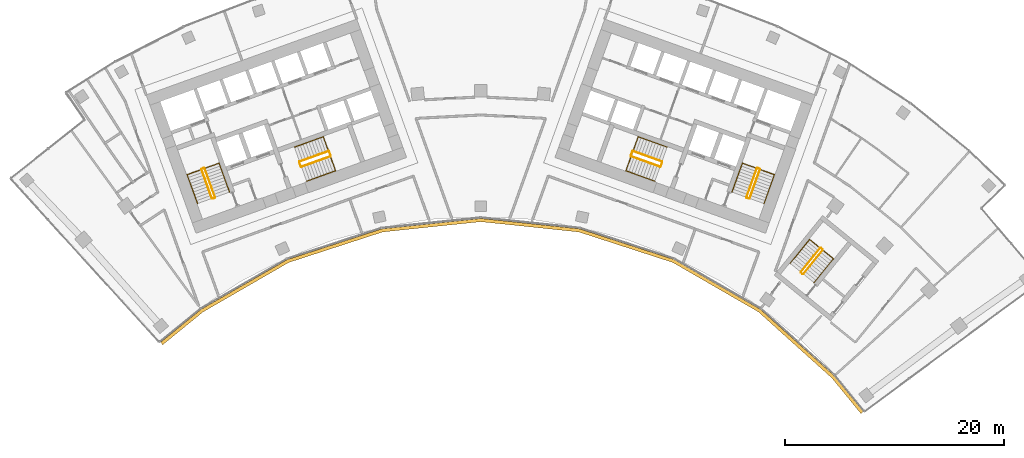
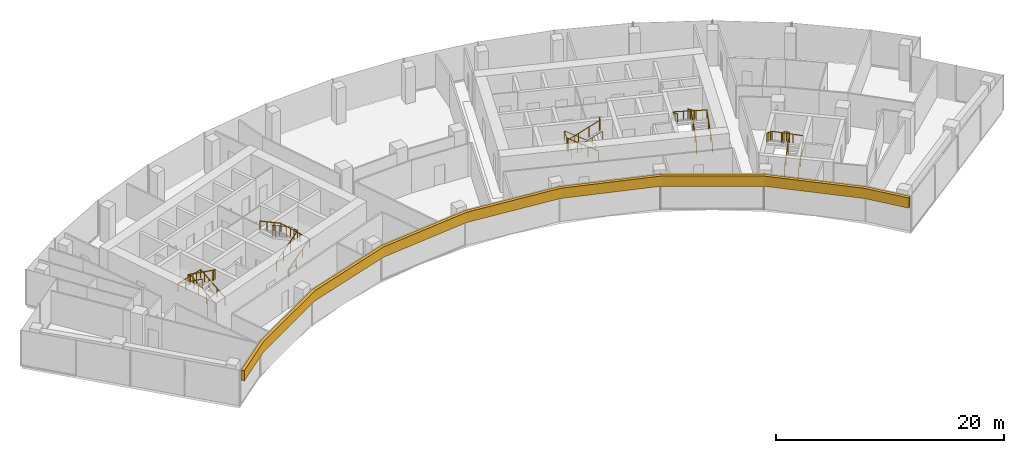
# One storey, part 17 of 17: 15 railings, 1 covering.
"""IFC4 building model written with IfcOpenShell, lengths in metres."""

from ifc_helpers import new_model, si_unit, direction, frame, origin, origin_2d, place, context, subcontext, project, spatial, polyline, circle, outline, extrude, material, layer, layer_set, type_object, element, save


model = new_model("IFC4")

# Units and contexts
model_context = context("Model", 3, precision=1e-05, world=origin(), true_north=direction((0.0, 1.0)))
body_context = subcontext(model_context, "Body", "Model", "MODEL_VIEW")
ifc_project = project(units=[si_unit("LENGTHUNIT", "METRE"), si_unit("AREAUNIT", "SQUARE_METRE"), si_unit("VOLUMEUNIT", "CUBIC_METRE"), si_unit("PLANEANGLEUNIT", "RADIAN"), si_unit("MASSUNIT", "GRAM", prefix="KILO")], contexts=[model_context])

# Site, building, storey
site_placement = place(None, origin())
site = spatial("IfcSite", under=ifc_project, at=site_placement, CompositionType="ELEMENT")
building_placement = place(site_placement, origin())
building = spatial("IfcBuilding", under=site, at=building_placement, Name="Stone Belt Terrace Tower", CompositionType="ELEMENT")
storey_placement = place(building_placement, frame((0.0, 0.0, 231.39990234375)))
storey = spatial("IfcBuildingStorey", under=building, at=storey_placement, Name="L56", CompositionType="ELEMENT", Elevation=231.39990234375)

# Railings
ifc_material_1 = material(Name="Structural steel C345", Category="steel")
railing_type_1 = type_object("IfcRailingType", Name="Stair guard 1100", PredefinedType="GUARDRAIL", material=ifc_material_1)
railing_1_placement = place(storey_placement, frame((-24.2119140625, 45.276123046875, 0.1728515625)))
element("IfcRailing", 1, at=railing_1_placement, inside=storey, type_object=railing_type_1, Name="L56 ST1A stair guard 1", PredefinedType="GUARDRAIL", context=body_context, shape_type="SweptSolid", body=[
    extrude(circle(Radius=0.02392578125, at=origin_2d()), frame((0.0, 0.0, 1.076171875), z_axis=(-0.288228637646, 0.800791768495, 0.525030280985), x_axis=(-0.940908529223, -0.338660803216, 0.0)), (0.0, 0.0, 1.0), 3.289794921875),
    extrude(circle(Radius=0.02392578125, at=origin_2d()), frame((-0.9482421875, 2.634521484375, 2.80322265625), z_axis=(-0.905209821074, 0.424964916, 0.0), x_axis=(-0.424964916, -0.905209821074, 0.0)), (0.0, 0.0, 1.0), 0.070556640625),
    extrude(circle(Radius=0.02392578125, at=origin_2d()), frame((-1.01220703125, 2.66455078125, 2.80322265625), z_axis=(-0.941105063269, -0.338114270461, 0.0), x_axis=(0.338114270461, -0.941105063269, 0.0)), (0.0, 0.0, 1.0), 0.199951171875),
    extrude(circle(Radius=0.02099609375, at=origin_2d()), origin(), (0.0, 0.0, 1.0), 1.052001953125),
    extrude(circle(Radius=0.02099609375, at=origin_2d()), frame((-0.316162109375, 0.878173828125, 0.57568359375)), (0.0, 0.0, 1.0), 1.052001953125),
    extrude(circle(Radius=0.02099609375, at=origin_2d()), frame((-0.632080078125, 1.75634765625, 1.151611328125)), (0.0, 0.0, 1.0), 1.052001953125),
    extrude(circle(Radius=0.02099609375, at=origin_2d()), frame((-0.9482421875, 2.634521484375, 1.727294921875)), (0.0, 0.0, 1.0), 1.052001953125),
    extrude(circle(Radius=0.02099609375, at=origin_2d()), frame((-1.01220703125, 2.66455078125, 1.727294921875)), (0.0, 0.0, 1.0), 1.052001953125),
    extrude(circle(Radius=0.02099609375, at=origin_2d()), frame((-1.200439453125, 2.596923828125, 1.727294921875)), (0.0, 0.0, 1.0), 1.052001953125),
])
railing_2_placement = place(storey_placement, frame((-25.4423828125, 47.80908203125, 2.07275390625)))
element("IfcRailing", 2, at=railing_2_placement, inside=storey, type_object=railing_type_1, Name="L56 ST1A stair guard 2", PredefinedType="GUARDRAIL", context=body_context, shape_type="SweptSolid", body=[
    extrude(circle(Radius=0.02392578125, at=origin_2d()), frame((0.0, 0.0, 1.076171875), z_axis=(0.288228637646, -0.800791768495, 0.525030280985), x_axis=(0.940908529223, 0.338660803216, 0.0)), (0.0, 0.0, 1.0), 3.289794921875),
    extrude(circle(Radius=0.02392578125, at=origin_2d()), frame((0.9482421875, -2.634521484375, 2.80322265625), z_axis=(0.903878284585, -0.427789722475, 0.0), x_axis=(0.427789722475, 0.903878284585, 0.0)), (0.0, 0.0, 1.0), 0.07080078125),
    extrude(circle(Radius=0.02392578125, at=origin_2d()), frame((1.01220703125, -2.664794921875, 2.80322265625), z_axis=(0.940575576748, 0.339584429008, 0.0), x_axis=(-0.339584429008, 0.940575576748, 0.0)), (0.0, 0.0, 1.0), 0.199951171875),
    extrude(circle(Radius=0.02099609375, at=origin_2d()), origin(), (0.0, 0.0, 1.0), 1.052001953125),
    extrude(circle(Radius=0.02099609375, at=origin_2d()), frame((0.316162109375, -0.878173828125, 0.57568359375)), (0.0, 0.0, 1.0), 1.052001953125),
    extrude(circle(Radius=0.02099609375, at=origin_2d()), frame((0.632080078125, -1.75634765625, 1.151611328125)), (0.0, 0.0, 1.0), 1.052001953125),
    extrude(circle(Radius=0.02099609375, at=origin_2d()), frame((0.9482421875, -2.634521484375, 1.727294921875)), (0.0, 0.0, 1.0), 1.052001953125),
    extrude(circle(Radius=0.02099609375, at=origin_2d()), frame((1.01220703125, -2.664794921875, 1.727294921875)), (0.0, 0.0, 1.0), 1.052001953125),
    extrude(circle(Radius=0.02099609375, at=origin_2d()), frame((1.2001953125, -2.596923828125, 1.727294921875)), (0.0, 0.0, 1.0), 1.052001953125),
])
railing_3_placement = place(storey_placement, frame((-16.33837890625, 48.056640625, 0.1728515625)))
element("IfcRailing", 3, at=railing_3_placement, inside=storey, type_object=railing_type_1, Name="L56 ST2A stair guard 1", PredefinedType="GUARDRAIL", context=body_context, shape_type="SweptSolid", body=[
    extrude(circle(Radius=0.02392578125, at=origin_2d()), frame((0.0, 0.0, 1.076171875), z_axis=(0.800808895155, 0.288160591223, 0.52504150989), x_axis=(-0.338583606334, 0.940936311087, 0.0)), (0.0, 0.0, 1.0), 3.289794921875),
    extrude(circle(Radius=0.02392578125, at=origin_2d()), frame((2.634521484375, 0.947998046875, 2.80322265625), z_axis=(0.427789722475, 0.903878284585, 0.0), x_axis=(-0.903878284585, 0.427789722475, 0.0)), (0.0, 0.0, 1.0), 0.07080078125),
    extrude(circle(Radius=0.02392578125, at=origin_2d()), frame((2.664794921875, 1.011962890625, 2.80322265625), z_axis=(-0.338654645739, 0.940910745459, 0.0), x_axis=(-0.940910745459, -0.338654645739, 0.0)), (0.0, 0.0, 1.0), 0.400146484375),
    extrude(circle(Radius=0.02099609375, at=origin_2d()), origin(), (0.0, 0.0, 1.0), 1.052001953125),
    extrude(circle(Radius=0.02099609375, at=origin_2d()), frame((0.878173828125, 0.31591796875, 0.57568359375)), (0.0, 0.0, 1.0), 1.052001953125),
    extrude(circle(Radius=0.02099609375, at=origin_2d()), frame((1.75634765625, 0.632080078125, 1.151611328125)), (0.0, 0.0, 1.0), 1.052001953125),
    extrude(circle(Radius=0.02099609375, at=origin_2d()), frame((2.634521484375, 0.947998046875, 1.727294921875)), (0.0, 0.0, 1.0), 1.052001953125),
    extrude(circle(Radius=0.02099609375, at=origin_2d()), frame((2.664794921875, 1.011962890625, 1.727294921875)), (0.0, 0.0, 1.0), 1.052001953125),
    extrude(circle(Radius=0.02099609375, at=origin_2d()), frame((2.529296875, 1.388427734375, 1.727294921875)), (0.0, 0.0, 1.0), 1.052001953125),
])
railing_4_placement = place(storey_placement, frame((-13.873046875, 49.47509765625, 2.07275390625)))
element("IfcRailing", 4, at=railing_4_placement, inside=storey, type_object=railing_type_1, Name="L56 ST2A stair guard 2", PredefinedType="GUARDRAIL", context=body_context, shape_type="SweptSolid", body=[
    extrude(circle(Radius=0.02392578125, at=origin_2d()), frame((0.0, 0.0, 1.076171875), z_axis=(-0.800808895155, -0.288160591223, 0.52504150989), x_axis=(0.338583606334, -0.940936311087, 0.0)), (0.0, 0.0, 1.0), 3.289794921875),
    extrude(circle(Radius=0.02392578125, at=origin_2d()), frame((-2.634521484375, -0.947998046875, 2.80322265625), z_axis=(-0.427789722475, -0.903878284585, 0.0), x_axis=(0.903878284585, -0.427789722475, 0.0)), (0.0, 0.0, 1.0), 0.07080078125),
    extrude(circle(Radius=0.02392578125, at=origin_2d()), frame((-2.664794921875, -1.011962890625, 2.80322265625), z_axis=(0.338654645739, -0.940910745459, 0.0), x_axis=(0.940910745459, 0.338654645739, 0.0)), (0.0, 0.0, 1.0), 0.400146484375),
    extrude(circle(Radius=0.02099609375, at=origin_2d()), origin(), (0.0, 0.0, 1.0), 1.052001953125),
    extrude(circle(Radius=0.02099609375, at=origin_2d()), frame((-0.878173828125, -0.31591796875, 0.57568359375)), (0.0, 0.0, 1.0), 1.052001953125),
    extrude(circle(Radius=0.02099609375, at=origin_2d()), frame((-1.75634765625, -0.632080078125, 1.151611328125)), (0.0, 0.0, 1.0), 1.052001953125),
    extrude(circle(Radius=0.02099609375, at=origin_2d()), frame((-2.634521484375, -0.947998046875, 1.727294921875)), (0.0, 0.0, 1.0), 1.052001953125),
    extrude(circle(Radius=0.02099609375, at=origin_2d()), frame((-2.664794921875, -1.011962890625, 1.727294921875)), (0.0, 0.0, 1.0), 1.052001953125),
    extrude(circle(Radius=0.02099609375, at=origin_2d()), frame((-2.529296875, -1.388427734375, 1.727294921875)), (0.0, 0.0, 1.0), 1.052001953125),
])
railing_5_placement = place(storey_placement, frame((24.494140625, 45.174560546875, 0.1728515625)))
element("IfcRailing", 5, at=railing_5_placement, inside=storey, type_object=railing_type_1, Name="L56 ST1B stair guard 1", PredefinedType="GUARDRAIL", context=body_context, shape_type="SweptSolid", body=[
    extrude(circle(Radius=0.02392578125, at=origin_2d()), frame((0.0, 0.0, 1.076171875), z_axis=(0.288228637646, 0.800791768495, 0.525030280985), x_axis=(-0.940908529223, 0.338660803216, 0.0)), (0.0, 0.0, 1.0), 3.289794921875),
    extrude(circle(Radius=0.02392578125, at=origin_2d()), frame((0.9482421875, 2.634521484375, 2.80322265625), z_axis=(-0.424964916, 0.905209821074, 0.0), x_axis=(-0.905209821074, -0.424964916, 0.0)), (0.0, 0.0, 1.0), 0.070556640625),
    extrude(circle(Radius=0.02392578125, at=origin_2d()), frame((0.918212890625, 2.698486328125, 2.80322265625), z_axis=(-0.941105063269, 0.338114270461, 0.0), x_axis=(-0.338114270461, -0.941105063269, 0.0)), (0.0, 0.0, 1.0), 0.199951171875),
    extrude(circle(Radius=0.02099609375, at=origin_2d()), origin(), (0.0, 0.0, 1.0), 1.052001953125),
    extrude(circle(Radius=0.02099609375, at=origin_2d()), frame((0.316162109375, 0.878173828125, 0.57568359375)), (0.0, 0.0, 1.0), 1.052001953125),
    extrude(circle(Radius=0.02099609375, at=origin_2d()), frame((0.632080078125, 1.75634765625, 1.151611328125)), (0.0, 0.0, 1.0), 1.052001953125),
    extrude(circle(Radius=0.02099609375, at=origin_2d()), frame((0.9482421875, 2.634521484375, 1.727294921875)), (0.0, 0.0, 1.0), 1.052001953125),
    extrude(circle(Radius=0.02099609375, at=origin_2d()), frame((0.918212890625, 2.698486328125, 1.727294921875)), (0.0, 0.0, 1.0), 1.052001953125),
    extrude(circle(Radius=0.02099609375, at=origin_2d()), frame((0.72998046875, 2.76611328125, 1.727294921875)), (0.0, 0.0, 1.0), 1.052001953125),
])
railing_6_placement = place(storey_placement, frame((25.16015625, 47.91064453125, 2.07275390625)))
element("IfcRailing", 6, at=railing_6_placement, inside=storey, type_object=railing_type_1, Name="L56 ST1B stair guard 2", PredefinedType="GUARDRAIL", context=body_context, shape_type="SweptSolid", body=[
    extrude(circle(Radius=0.02392578125, at=origin_2d()), frame((0.0, 0.0, 1.076171875), z_axis=(-0.288228637646, -0.800791768495, 0.525030280985), x_axis=(0.940908529223, -0.338660803216, 0.0)), (0.0, 0.0, 1.0), 3.289794921875),
    extrude(circle(Radius=0.02392578125, at=origin_2d()), frame((-0.9482421875, -2.634521484375, 2.80322265625), z_axis=(0.427789722475, -0.903878284585, 0.0), x_axis=(0.903878284585, 0.427789722475, 0.0)), (0.0, 0.0, 1.0), 0.07080078125),
    extrude(circle(Radius=0.02392578125, at=origin_2d()), frame((-0.91796875, -2.698486328125, 2.80322265625), z_axis=(0.940575576748, -0.339584429008, 0.0), x_axis=(0.339584429008, 0.940575576748, 0.0)), (0.0, 0.0, 1.0), 0.199951171875),
    extrude(circle(Radius=0.02099609375, at=origin_2d()), origin(), (0.0, 0.0, 1.0), 1.052001953125),
    extrude(circle(Radius=0.02099609375, at=origin_2d()), frame((-0.316162109375, -0.878173828125, 0.57568359375)), (0.0, 0.0, 1.0), 1.052001953125),
    extrude(circle(Radius=0.02099609375, at=origin_2d()), frame((-0.632080078125, -1.75634765625, 1.151611328125)), (0.0, 0.0, 1.0), 1.052001953125),
    extrude(circle(Radius=0.02099609375, at=origin_2d()), frame((-0.9482421875, -2.634521484375, 1.727294921875)), (0.0, 0.0, 1.0), 1.052001953125),
    extrude(circle(Radius=0.02099609375, at=origin_2d()), frame((-0.91796875, -2.698486328125, 1.727294921875)), (0.0, 0.0, 1.0), 1.052001953125),
    extrude(circle(Radius=0.02099609375, at=origin_2d()), frame((-0.72998046875, -2.766357421875, 1.727294921875)), (0.0, 0.0, 1.0), 1.052001953125),
])
railing_7_placement = place(storey_placement, frame((16.507568359375, 48.527099609375, 0.1728515625)))
element("IfcRailing", 7, at=railing_7_placement, inside=storey, type_object=railing_type_1, Name="L56 ST2B stair guard 1", PredefinedType="GUARDRAIL", context=body_context, shape_type="SweptSolid", body=[
    extrude(circle(Radius=0.02392578125, at=origin_2d()), frame((0.0, 0.0, 1.076171875), z_axis=(-0.800808895155, 0.288160591223, 0.52504150989), x_axis=(-0.338583606334, -0.940936311087, 0.0)), (0.0, 0.0, 1.0), 3.289794921875),
    extrude(circle(Radius=0.02392578125, at=origin_2d()), frame((-2.634521484375, 0.947998046875, 2.80322265625), z_axis=(-0.905209821074, -0.424964916, 0.0), x_axis=(0.424964916, -0.905209821074, 0.0)), (0.0, 0.0, 1.0), 0.070556640625),
    extrude(circle(Radius=0.02392578125, at=origin_2d()), frame((-2.698486328125, 0.91796875, 2.80322265625), z_axis=(-0.338654645739, -0.940910745459, 0.0), x_axis=(0.940910745459, -0.338654645739, 0.0)), (0.0, 0.0, 1.0), 0.400146484375),
    extrude(circle(Radius=0.02099609375, at=origin_2d()), origin(), (0.0, 0.0, 1.0), 1.052001953125),
    extrude(circle(Radius=0.02099609375, at=origin_2d()), frame((-0.878173828125, 0.31591796875, 0.57568359375)), (0.0, 0.0, 1.0), 1.052001953125),
    extrude(circle(Radius=0.02099609375, at=origin_2d()), frame((-1.75634765625, 0.632080078125, 1.151611328125)), (0.0, 0.0, 1.0), 1.052001953125),
    extrude(circle(Radius=0.02099609375, at=origin_2d()), frame((-2.634521484375, 0.947998046875, 1.727294921875)), (0.0, 0.0, 1.0), 1.052001953125),
    extrude(circle(Radius=0.02099609375, at=origin_2d()), frame((-2.698486328125, 0.91796875, 1.727294921875)), (0.0, 0.0, 1.0), 1.052001953125),
    extrude(circle(Radius=0.02099609375, at=origin_2d()), frame((-2.833984375, 0.54150390625, 1.727294921875)), (0.0, 0.0, 1.0), 1.052001953125),
])
railing_8_placement = place(storey_placement, frame((13.703857421875, 49.004638671875, 2.07275390625)))
element("IfcRailing", 8, at=railing_8_placement, inside=storey, type_object=railing_type_1, Name="L56 ST2B stair guard 2", PredefinedType="GUARDRAIL", context=body_context, shape_type="SweptSolid", body=[
    extrude(circle(Radius=0.02392578125, at=origin_2d()), frame((0.0, 0.0, 1.076171875), z_axis=(0.800808895155, -0.288160591223, 0.52504150989), x_axis=(0.338583606334, 0.940936311087, 0.0)), (0.0, 0.0, 1.0), 3.289794921875),
    extrude(circle(Radius=0.02392578125, at=origin_2d()), frame((2.634521484375, -0.947998046875, 2.80322265625), z_axis=(0.905209821074, 0.424964916, 0.0), x_axis=(-0.424964916, 0.905209821074, 0.0)), (0.0, 0.0, 1.0), 0.070556640625),
    extrude(circle(Radius=0.02392578125, at=origin_2d()), frame((2.698486328125, -0.91796875, 2.80322265625), z_axis=(0.338654645739, 0.940910745459, 0.0), x_axis=(-0.940910745459, 0.338654645739, 0.0)), (0.0, 0.0, 1.0), 0.400146484375),
    extrude(circle(Radius=0.02099609375, at=origin_2d()), origin(), (0.0, 0.0, 1.0), 1.052001953125),
    extrude(circle(Radius=0.02099609375, at=origin_2d()), frame((0.878173828125, -0.31591796875, 0.57568359375)), (0.0, 0.0, 1.0), 1.052001953125),
    extrude(circle(Radius=0.02099609375, at=origin_2d()), frame((1.75634765625, -0.632080078125, 1.151611328125)), (0.0, 0.0, 1.0), 1.052001953125),
    extrude(circle(Radius=0.02099609375, at=origin_2d()), frame((2.634521484375, -0.947998046875, 1.727294921875)), (0.0, 0.0, 1.0), 1.052001953125),
    extrude(circle(Radius=0.02099609375, at=origin_2d()), frame((2.698486328125, -0.91796875, 1.727294921875)), (0.0, 0.0, 1.0), 1.052001953125),
    extrude(circle(Radius=0.02099609375, at=origin_2d()), frame((2.833984375, -0.54150390625, 1.727294921875)), (0.0, 0.0, 1.0), 1.052001953125),
])
railing_9_placement = place(storey_placement, frame((29.39794921875, 38.281982421875, 0.1728515625)))
element("IfcRailing", 9, at=railing_9_placement, inside=storey, type_object=railing_type_1, Name="L56 ST3B stair guard 1", PredefinedType="GUARDRAIL", context=body_context, shape_type="SweptSolid", body=[
    extrude(circle(Radius=0.02392578125, at=origin_2d()), frame((0.0, 0.0, 1.076171875), z_axis=(0.536393061503, 0.660769759217, 0.525038864158), x_axis=(-0.776391310223, 0.630251166924, 0.0)), (0.0, 0.0, 1.0), 3.289794921875),
    extrude(circle(Radius=0.02392578125, at=origin_2d()), frame((1.7646484375, 2.173828125, 2.80322265625), z_axis=(-0.103251414163, 0.994655289773, 0.0), x_axis=(-0.994655289773, -0.103251414163, 0.0)), (0.0, 0.0, 1.0), 0.071044921875),
    extrude(circle(Radius=0.02392578125, at=origin_2d()), frame((1.75732421875, 2.244384765625, 2.80322265625), z_axis=(-0.776561986372, 0.630040856868, 0.0), x_axis=(-0.630040856868, -0.776561986372, 0.0)), (0.0, 0.0, 1.0), 0.199951171875),
    extrude(circle(Radius=0.02099609375, at=origin_2d()), origin(), (0.0, 0.0, 1.0), 1.052001953125),
    extrude(circle(Radius=0.02099609375, at=origin_2d()), frame((0.588134765625, 0.724609375, 0.57568359375)), (0.0, 0.0, 1.0), 1.052001953125),
    extrude(circle(Radius=0.02099609375, at=origin_2d()), frame((1.176513671875, 1.44921875, 1.151611328125)), (0.0, 0.0, 1.0), 1.052001953125),
    extrude(circle(Radius=0.02099609375, at=origin_2d()), frame((1.7646484375, 2.173828125, 1.727294921875)), (0.0, 0.0, 1.0), 1.052001953125),
    extrude(circle(Radius=0.02099609375, at=origin_2d()), frame((1.75732421875, 2.244384765625, 1.727294921875)), (0.0, 0.0, 1.0), 1.052001953125),
    extrude(circle(Radius=0.02099609375, at=origin_2d()), frame((1.60205078125, 2.370361328125, 1.727294921875)), (0.0, 0.0, 1.0), 1.052001953125),
])
railing_10_placement = place(storey_placement, frame((30.9296875, 40.64501953125, 2.07275390625)))
element("IfcRailing", 10, at=railing_10_placement, inside=storey, type_object=railing_type_1, Name="L56 ST3B stair guard 2", PredefinedType="GUARDRAIL", context=body_context, shape_type="SweptSolid", body=[
    extrude(circle(Radius=0.02392578125, at=origin_2d()), frame((0.0, 0.0, 1.076171875), z_axis=(-0.536366759382, -0.660811565066, 0.525013118792), x_axis=(0.776425942316, -0.630208502084, 0.0)), (0.0, 0.0, 1.0), 3.2900390625),
    extrude(circle(Radius=0.02392578125, at=origin_2d()), frame((-1.7646484375, -2.174072265625, 2.80322265625), z_axis=(0.103606084259, -0.994618408891, 0.0), x_axis=(0.994618408891, 0.103606084259, 0.0)), (0.0, 0.0, 1.0), 0.07080078125),
    extrude(circle(Radius=0.02392578125, at=origin_2d()), frame((-1.75732421875, -2.244384765625, 2.80322265625), z_axis=(0.776561986372, -0.630040856868, 0.0), x_axis=(0.630040856868, 0.776561986372, 0.0)), (0.0, 0.0, 1.0), 0.199951171875),
    extrude(circle(Radius=0.02099609375, at=origin_2d()), origin(), (0.0, 0.0, 1.0), 1.052001953125),
    extrude(circle(Radius=0.02099609375, at=origin_2d()), frame((-0.588134765625, -0.724609375, 0.57568359375)), (0.0, 0.0, 1.0), 1.052001953125),
    extrude(circle(Radius=0.02099609375, at=origin_2d()), frame((-1.176513671875, -1.449462890625, 1.151611328125)), (0.0, 0.0, 1.0), 1.052001953125),
    extrude(circle(Radius=0.02099609375, at=origin_2d()), frame((-1.7646484375, -2.174072265625, 1.727294921875)), (0.0, 0.0, 1.0), 1.052001953125),
    extrude(circle(Radius=0.02099609375, at=origin_2d()), frame((-1.75732421875, -2.244384765625, 1.727294921875)), (0.0, 0.0, 1.0), 1.052001953125),
    extrude(circle(Radius=0.02099609375, at=origin_2d()), frame((-1.60205078125, -2.370361328125, 1.727294921875)), (0.0, 0.0, 1.0), 1.052001953125),
])
railing_type_2 = type_object("IfcRailingType", Name="Stair handrail 900", PredefinedType="HANDRAIL", material=ifc_material_1)
railing_11_placement = place(storey_placement, frame((-22.894775390625, 45.750244140625, 0.1728515625)))
element("IfcRailing", 11, at=railing_11_placement, inside=storey, type_object=railing_type_2, Name="L56 ST1A stair handrail 1", PredefinedType="HANDRAIL", context=body_context, shape_type="SweptSolid", body=[
    extrude(circle(Radius=0.02392578125, at=origin_2d()), frame((0.0, 0.0, 0.8759765625), z_axis=(-0.288160591223, 0.800808895155, 0.52504150989), x_axis=(-0.940936311087, -0.338583606334, 0.0)), (0.0, 0.0, 1.0), 3.289794921875),
    extrude(circle(Radius=0.02392578125, at=origin_2d()), frame((-0.947998046875, 2.634521484375, 2.60302734375), z_axis=(-0.939464517435, -0.338106580597, 0.055591012205), x_axis=(0.338630230244, -0.940919532779, 0.0)), (0.0, 0.0, 1.0), 3.10498046875),
    extrude(circle(Radius=0.02392578125, at=origin_2d()), frame((-3.864990234375, 1.584716796875, 2.77587890625), z_axis=(0.288228637646, -0.800791768495, 0.525030280985), x_axis=(0.940908529223, 0.338660803216, 0.0)), (0.0, 0.0, 1.0), 3.289794921875),
    extrude(circle(Radius=0.02099609375, at=origin_2d()), origin(), (0.0, 0.0, 1.0), 0.851806640625),
    extrude(circle(Radius=0.02099609375, at=origin_2d()), frame((-0.31591796875, 0.878173828125, 0.57568359375)), (0.0, 0.0, 1.0), 0.851806640625),
    extrude(circle(Radius=0.02099609375, at=origin_2d()), frame((-0.632080078125, 1.75634765625, 1.151611328125)), (0.0, 0.0, 1.0), 0.851806640625),
    extrude(circle(Radius=0.02099609375, at=origin_2d()), frame((-0.947998046875, 2.634521484375, 1.727294921875)), (0.0, 0.0, 1.0), 0.851806640625),
    extrude(circle(Radius=0.02099609375, at=origin_2d()), frame((-1.92041015625, 2.28466796875, 1.784912109375)), (0.0, 0.0, 1.0), 0.851806640625),
    extrude(circle(Radius=0.02099609375, at=origin_2d()), frame((-2.892578125, 1.9345703125, 1.84228515625)), (0.0, 0.0, 1.0), 0.851806640625),
    extrude(circle(Radius=0.02099609375, at=origin_2d()), frame((-3.864990234375, 1.584716796875, 1.89990234375)), (0.0, 0.0, 1.0), 0.851806640625),
    extrude(circle(Radius=0.02099609375, at=origin_2d()), frame((-3.548828125, 0.70654296875, 2.4755859375)), (0.0, 0.0, 1.0), 0.851806640625),
    extrude(circle(Radius=0.02099609375, at=origin_2d()), frame((-3.23291015625, -0.171630859375, 3.051513671875)), (0.0, 0.0, 1.0), 0.851806640625),
    extrude(circle(Radius=0.02099609375, at=origin_2d()), frame((-2.916748046875, -1.0498046875, 3.627197265625)), (0.0, 0.0, 1.0), 0.851806640625),
])
railing_12_placement = place(storey_placement, frame((-15.8642578125, 46.7392578125, 0.1728515625)))
element("IfcRailing", 12, at=railing_12_placement, inside=storey, type_object=railing_type_2, Name="L56 ST2A stair handrail 1", PredefinedType="HANDRAIL", context=body_context, shape_type="SweptSolid", body=[
    extrude(circle(Radius=0.02392578125, at=origin_2d()), frame((0.0, 0.0, 0.8759765625), z_axis=(0.800791768495, 0.288228637646, 0.525030280985), x_axis=(-0.338660803216, 0.940908529223, 0.0)), (0.0, 0.0, 1.0), 3.289794921875),
    extrude(circle(Radius=0.02392578125, at=origin_2d()), frame((2.634521484375, 0.9482421875, 2.60302734375), z_axis=(-0.338160254016, 0.939637778147, 0.052234935458), x_axis=(-0.940922302781, -0.338622533404, 0.0)), (0.0, 0.0, 1.0), 3.304443359375),
    extrude(circle(Radius=0.02392578125, at=origin_2d()), frame((1.51708984375, 4.05322265625, 2.77587890625), z_axis=(-0.800791768495, -0.288228637646, 0.525030280985), x_axis=(0.338660803216, -0.940908529223, 0.0)), (0.0, 0.0, 1.0), 3.289794921875),
    extrude(circle(Radius=0.02099609375, at=origin_2d()), origin(), (0.0, 0.0, 1.0), 0.851806640625),
    extrude(circle(Radius=0.02099609375, at=origin_2d()), frame((0.878173828125, 0.316162109375, 0.57568359375)), (0.0, 0.0, 1.0), 0.851806640625),
    extrude(circle(Radius=0.02099609375, at=origin_2d()), frame((1.75634765625, 0.632080078125, 1.151611328125)), (0.0, 0.0, 1.0), 0.851806640625),
    extrude(circle(Radius=0.02099609375, at=origin_2d()), frame((2.634521484375, 0.9482421875, 1.727294921875)), (0.0, 0.0, 1.0), 0.851806640625),
    extrude(circle(Radius=0.02099609375, at=origin_2d()), frame((2.261962890625, 1.983154296875, 1.784912109375)), (0.0, 0.0, 1.0), 0.851806640625),
    extrude(circle(Radius=0.02099609375, at=origin_2d()), frame((1.8896484375, 3.018310546875, 1.84228515625)), (0.0, 0.0, 1.0), 0.851806640625),
    extrude(circle(Radius=0.02099609375, at=origin_2d()), frame((1.51708984375, 4.05322265625, 1.89990234375)), (0.0, 0.0, 1.0), 0.851806640625),
    extrude(circle(Radius=0.02099609375, at=origin_2d()), frame((0.638916015625, 3.737060546875, 2.4755859375)), (0.0, 0.0, 1.0), 0.851806640625),
    extrude(circle(Radius=0.02099609375, at=origin_2d()), frame((-0.2392578125, 3.421142578125, 3.051513671875)), (0.0, 0.0, 1.0), 0.851806640625),
    extrude(circle(Radius=0.02099609375, at=origin_2d()), frame((-1.117431640625, 3.10498046875, 3.627197265625)), (0.0, 0.0, 1.0), 0.851806640625),
])
railing_13_placement = place(storey_placement, frame((25.8115234375, 44.700439453125, 0.1728515625)))
element("IfcRailing", 13, at=railing_13_placement, inside=storey, type_object=railing_type_2, Name="L56 ST1B stair handrail 1", PredefinedType="HANDRAIL", context=body_context, shape_type="SweptSolid", body=[
    extrude(circle(Radius=0.02392578125, at=origin_2d()), frame((0.0, 0.0, 0.8759765625), z_axis=(0.288228637646, 0.800791768495, 0.525030280985), x_axis=(-0.940908529223, 0.338660803216, 0.0)), (0.0, 0.0, 1.0), 3.289794921875),
    extrude(circle(Radius=0.02392578125, at=origin_2d()), frame((0.9482421875, 2.634521484375, 2.60302734375), z_axis=(-0.939464517435, 0.338106580597, 0.055591012205), x_axis=(-0.338630230244, -0.940919532779, 0.0)), (0.0, 0.0, 1.0), 3.10498046875),
    extrude(circle(Radius=0.02392578125, at=origin_2d()), frame((-1.96875, 3.684326171875, 2.77587890625), z_axis=(-0.288160591223, -0.800808895155, 0.52504150989), x_axis=(0.940936311087, -0.338583606334, 0.0)), (0.0, 0.0, 1.0), 3.289794921875),
    extrude(circle(Radius=0.02099609375, at=origin_2d()), origin(), (0.0, 0.0, 1.0), 0.851806640625),
    extrude(circle(Radius=0.02099609375, at=origin_2d()), frame((0.316162109375, 0.878173828125, 0.57568359375)), (0.0, 0.0, 1.0), 0.851806640625),
    extrude(circle(Radius=0.02099609375, at=origin_2d()), frame((0.632080078125, 1.75634765625, 1.151611328125)), (0.0, 0.0, 1.0), 0.851806640625),
    extrude(circle(Radius=0.02099609375, at=origin_2d()), frame((0.9482421875, 2.634521484375, 1.727294921875)), (0.0, 0.0, 1.0), 0.851806640625),
    extrude(circle(Radius=0.02099609375, at=origin_2d()), frame((-0.024169921875, 2.984375, 1.784912109375)), (0.0, 0.0, 1.0), 0.851806640625),
    extrude(circle(Radius=0.02099609375, at=origin_2d()), frame((-0.996337890625, 3.33447265625, 1.84228515625)), (0.0, 0.0, 1.0), 0.851806640625),
    extrude(circle(Radius=0.02099609375, at=origin_2d()), frame((-1.96875, 3.684326171875, 1.89990234375)), (0.0, 0.0, 1.0), 0.851806640625),
    extrude(circle(Radius=0.02099609375, at=origin_2d()), frame((-2.28466796875, 2.80615234375, 2.4755859375)), (0.0, 0.0, 1.0), 0.851806640625),
    extrude(circle(Radius=0.02099609375, at=origin_2d()), frame((-2.600830078125, 1.927978515625, 3.051513671875)), (0.0, 0.0, 1.0), 0.851806640625),
    extrude(circle(Radius=0.02099609375, at=origin_2d()), frame((-2.916748046875, 1.0498046875, 3.627197265625)), (0.0, 0.0, 1.0), 0.851806640625),
])
railing_14_placement = place(storey_placement, frame((16.981689453125, 49.84423828125, 0.1728515625)))
element("IfcRailing", 14, at=railing_14_placement, inside=storey, type_object=railing_type_2, Name="L56 ST2B stair handrail 1", PredefinedType="HANDRAIL", context=body_context, shape_type="SweptSolid", body=[
    extrude(circle(Radius=0.02392578125, at=origin_2d()), frame((0.0, 0.0, 0.8759765625), z_axis=(-0.800791768495, 0.288228637646, 0.525030280985), x_axis=(-0.338660803216, -0.940908529223, 0.0)), (0.0, 0.0, 1.0), 3.289794921875),
    extrude(circle(Radius=0.02392578125, at=origin_2d()), frame((-2.634521484375, 0.9482421875, 2.60302734375), z_axis=(-0.338160254016, -0.939637778147, 0.052234935458), x_axis=(0.940922302781, -0.338622533404, 0.0)), (0.0, 0.0, 1.0), 3.304443359375),
    extrude(circle(Radius=0.02392578125, at=origin_2d()), frame((-3.751953125, -2.15673828125, 2.77587890625), z_axis=(0.800791768495, -0.288228637646, 0.525030280985), x_axis=(0.338660803216, 0.940908529223, 0.0)), (0.0, 0.0, 1.0), 3.289794921875),
    extrude(circle(Radius=0.02099609375, at=origin_2d()), origin(), (0.0, 0.0, 1.0), 0.851806640625),
    extrude(circle(Radius=0.02099609375, at=origin_2d()), frame((-0.878173828125, 0.316162109375, 0.57568359375)), (0.0, 0.0, 1.0), 0.851806640625),
    extrude(circle(Radius=0.02099609375, at=origin_2d()), frame((-1.75634765625, 0.632080078125, 1.151611328125)), (0.0, 0.0, 1.0), 0.851806640625),
    extrude(circle(Radius=0.02099609375, at=origin_2d()), frame((-2.634521484375, 0.9482421875, 1.727294921875)), (0.0, 0.0, 1.0), 0.851806640625),
    extrude(circle(Radius=0.02099609375, at=origin_2d()), frame((-3.007080078125, -0.086669921875, 1.784912109375)), (0.0, 0.0, 1.0), 0.851806640625),
    extrude(circle(Radius=0.02099609375, at=origin_2d()), frame((-3.37939453125, -1.121826171875, 1.84228515625)), (0.0, 0.0, 1.0), 0.851806640625),
    extrude(circle(Radius=0.02099609375, at=origin_2d()), frame((-3.751953125, -2.15673828125, 1.89990234375)), (0.0, 0.0, 1.0), 0.851806640625),
    extrude(circle(Radius=0.02099609375, at=origin_2d()), frame((-2.873779296875, -2.472900390625, 2.4755859375)), (0.0, 0.0, 1.0), 0.851806640625),
    extrude(circle(Radius=0.02099609375, at=origin_2d()), frame((-1.99560546875, -2.788818359375, 3.051513671875)), (0.0, 0.0, 1.0), 0.851806640625),
    extrude(circle(Radius=0.02099609375, at=origin_2d()), frame((-1.117431640625, -3.10498046875, 3.627197265625)), (0.0, 0.0, 1.0), 0.851806640625),
])
railing_15_placement = place(storey_placement, frame((30.36865234375, 37.494140625, 0.1728515625)))
element("IfcRailing", 15, at=railing_15_placement, inside=storey, type_object=railing_type_2, Name="L56 ST3B stair handrail 1", PredefinedType="HANDRAIL", context=body_context, shape_type="SweptSolid", body=[
    extrude(circle(Radius=0.02392578125, at=origin_2d()), frame((0.0, 0.0, 0.8759765625), z_axis=(0.536366759382, 0.660811565066, 0.525013118792), x_axis=(-0.776425942316, 0.630208502084, 0.0)), (0.0, 0.0, 1.0), 3.2900390625),
    extrude(circle(Radius=0.02392578125, at=origin_2d()), frame((1.7646484375, 2.174072265625, 2.60302734375), z_axis=(-0.774954966459, 0.629014542119, 0.061526463929), x_axis=(-0.630208502084, -0.776425942316, 0.0)), (0.0, 0.0, 1.0), 2.805419921875),
    extrude(circle(Radius=0.02392578125, at=origin_2d()), frame((-0.409423828125, 3.938720703125, 2.77587890625), z_axis=(-0.536366759382, -0.660811565066, 0.525013118792), x_axis=(0.776425942316, -0.630208502084, 0.0)), (0.0, 0.0, 1.0), 3.2900390625),
    extrude(circle(Radius=0.02099609375, at=origin_2d()), origin(), (0.0, 0.0, 1.0), 0.851806640625),
    extrude(circle(Radius=0.02099609375, at=origin_2d()), frame((0.588134765625, 0.724609375, 0.57568359375)), (0.0, 0.0, 1.0), 0.851806640625),
    extrude(circle(Radius=0.02099609375, at=origin_2d()), frame((1.176513671875, 1.449462890625, 1.151611328125)), (0.0, 0.0, 1.0), 0.851806640625),
    extrude(circle(Radius=0.02099609375, at=origin_2d()), frame((1.7646484375, 2.174072265625, 1.727294921875)), (0.0, 0.0, 1.0), 0.851806640625),
    extrude(circle(Radius=0.02099609375, at=origin_2d()), frame((1.0400390625, 2.76220703125, 1.784912109375)), (0.0, 0.0, 1.0), 0.851806640625),
    extrude(circle(Radius=0.02099609375, at=origin_2d()), frame((0.315185546875, 3.3505859375, 1.84228515625)), (0.0, 0.0, 1.0), 0.851806640625),
    extrude(circle(Radius=0.02099609375, at=origin_2d()), frame((-0.409423828125, 3.938720703125, 1.89990234375)), (0.0, 0.0, 1.0), 0.851806640625),
    extrude(circle(Radius=0.02099609375, at=origin_2d()), frame((-0.99755859375, 3.214111328125, 2.4755859375)), (0.0, 0.0, 1.0), 0.851806640625),
    extrude(circle(Radius=0.02099609375, at=origin_2d()), frame((-1.5859375, 2.4892578125, 3.051513671875)), (0.0, 0.0, 1.0), 0.851806640625),
    extrude(circle(Radius=0.02099609375, at=origin_2d()), frame((-2.174072265625, 1.7646484375, 3.627197265625)), (0.0, 0.0, 1.0), 0.851806640625),
])

# Covering
ifc_material_2 = material(Name="Terracotta coloured glazed ceramic", Category="masonry")
ifc_layer = layer(ifc_material_2, 0.300048828125)
ifc_layer_set = layer_set([ifc_layer], Name="Terracotta spandrel band 300 x 1100")
covering_type = type_object("IfcCoveringType", Name="Terracotta spandrel band 300 x 1100", PredefinedType="CLADDING", material=ifc_layer_set)
covering_placement = place(storey_placement, frame((0.0, 0.0, 2.7001953125)))
element("IfcCovering", 16, at=covering_placement, inside=storey, type_object=covering_type, Name="BAND L56", PredefinedType="CLADDING", context=body_context, shape_type="SweptSolid", body=[
    extrude(outline(polyline([(-29.178466796875, 32.060302734375), (-25.483154296875, 35.068359375), (-17.631591796875, 39.6015625), (-9.0126953125, 42.40185546875), (0.0, 43.34912109375), (9.0126953125, 42.40185546875), (17.631591796875, 39.6015625), (25.47998046875, 35.0703125), (32.2177734375, 29.00341796875), (34.8720703125, 25.752197265625), (34.6396484375, 25.5625), (32.0, 28.7958984375), (25.302734375, 34.826171875), (17.509033203125, 39.325927734375), (8.9501953125, 42.10693359375), (0.0, 43.047607421875), (-8.9501953125, 42.10693359375), (-17.509033203125, 39.325927734375), (-25.3125, 34.820556640625), (-28.989013671875, 31.82763671875), (-29.178466796875, 32.060302734375)])), origin(), (0.0, 0.0, 1.0), 1.099853515625),
])

save(model, "model.ifc")
